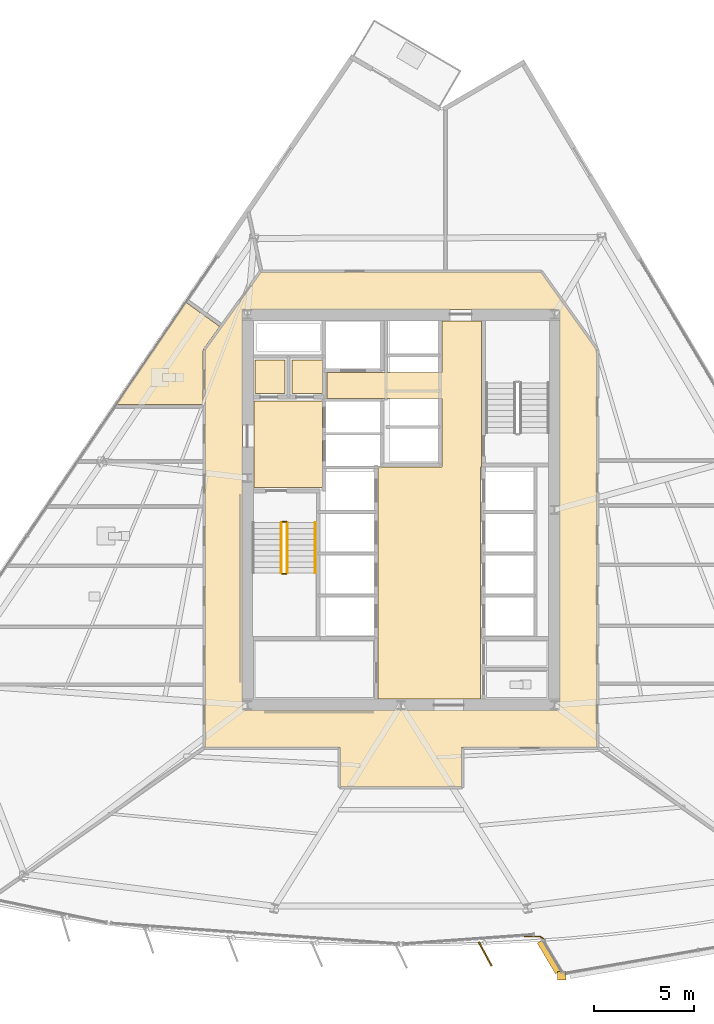
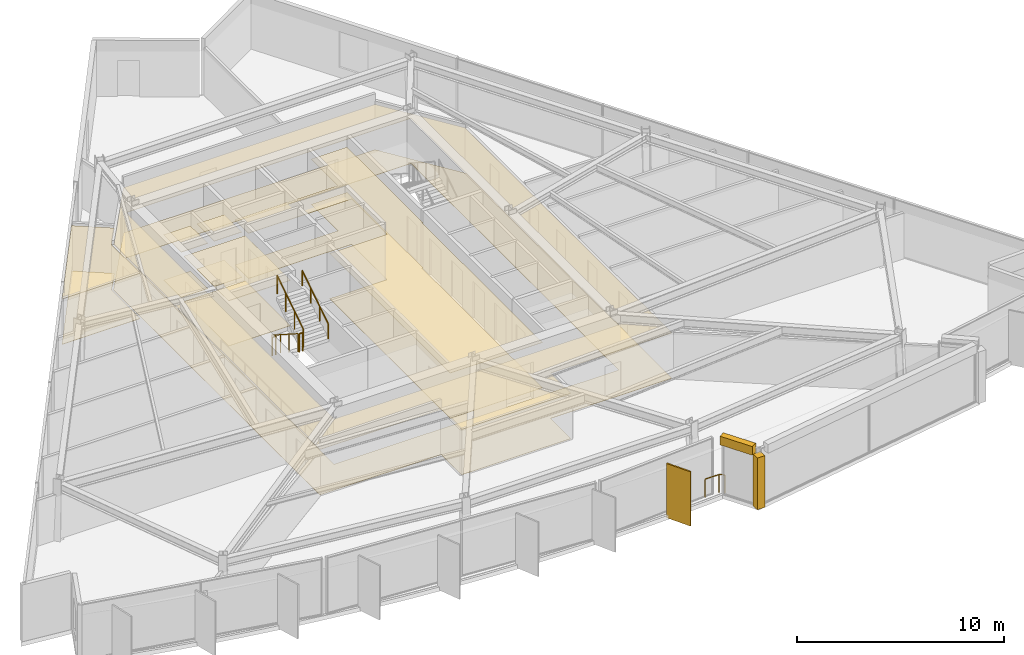
# One storey, part 12 of 15: 14 coverings, 6 railings, 1 shading device.
"""IFC4 building model written with IfcOpenShell, lengths in metres."""

import ifcopenshell
import ifcopenshell.guid

model = None  # the IFC model being written
_history = None  # IfcOwnerHistory: only IFC2X3 demands one
_inside = {}  # id of a spatial element -> (the spatial element, [elements in it])
_under = {}  # id of a project, library or spatial element -> (it, [spatial elements below it])
_declared = {}  # id of a project -> (the project, [libraries it declares])
_typed = {}  # id of a type object -> (the type object, [elements of that type])
_made_of = {}  # id of a material, layer set ... -> (it, [elements and type objects made of it])


def new_model(schema):
    """Start an empty IFC model of exactly this schema.

    Asked for "IFC4X3", IfcOpenShell would pick the latest addendum, in which some entities
    have other attributes; the version numbers below select the first issue.
    IFC2X3 requires an IfcOwnerHistory on every rooted entity: one is made here for all.
    """
    global model, _history
    if schema == "IFC4X3":
        model = ifcopenshell.file(schema_version=(4, 3, 0, 0))
    else:
        model = ifcopenshell.file(schema=schema)
    _inside.clear()
    _under.clear()
    _declared.clear()
    _typed.clear()
    _made_of.clear()
    _history = None
    if model.schema == "IFC2X3":
        org = make("IfcOrganization", Name="unknown")
        user = make(
            "IfcPersonAndOrganization",
            ThePerson=make("IfcPerson", FamilyName="unknown"),
            TheOrganization=org,
        )
        app = make(
            "IfcApplication",
            ApplicationDeveloper=org,
            Version="unknown",
            ApplicationFullName="unknown",
            ApplicationIdentifier="unknown",
        )
        _history = make(
            "IfcOwnerHistory",
            OwningUser=user,
            OwningApplication=app,
            ChangeAction="ADDED",
            CreationDate=0,
        )
    return model


def make(cls, **values):
    """One entity of the class cls with the attributes given. An attribute that is None is left unset."""
    return model.create_entity(
        cls, **{name: value for name, value in values.items() if value is not None}
    )


def rooted(cls, **values):
    """An entity with a GlobalId (a new one), such as an element, a storey or a relation."""
    return make(cls, GlobalId=ifcopenshell.guid.new(), OwnerHistory=_history, **values)


def si_unit(unit_type, name, prefix=None):
    """IfcSIUnit, for example si_unit("LENGTHUNIT", "METRE", prefix="MILLI")."""
    return make("IfcSIUnit", UnitType=unit_type, Prefix=prefix, Name=name)


def assignment(units):
    """IfcUnitAssignment: the units of a project."""
    return None if units is None else make("IfcUnitAssignment", Units=units)


def point(xyz):
    """IfcCartesianPoint."""
    return None if xyz is None else make("IfcCartesianPoint", Coordinates=xyz)


def direction(xyz):
    """IfcDirection."""
    return None if xyz is None else make("IfcDirection", DirectionRatios=xyz)


def frame(location, z_axis=None, x_axis=None):
    """IfcAxis2Placement3D, a coordinate frame: its origin and axes. An axis left out is left unset."""
    return make(
        "IfcAxis2Placement3D",
        Location=point(location),
        Axis=direction(z_axis),
        RefDirection=direction(x_axis),
    )


def frame_2d(location, x_axis=None):
    """IfcAxis2Placement2D, a coordinate frame in the plane: its origin and x axis."""
    return make(
        "IfcAxis2Placement2D", Location=point(location), RefDirection=direction(x_axis)
    )


def origin():
    """The frame at (0, 0, 0) with its axes left unset."""
    return frame((0.0, 0.0, 0.0))


def origin_2d():
    """The frame at (0, 0) in the plane with its x axis left unset."""
    return frame_2d((0.0, 0.0))


def place(relative_to, where):
    """IfcLocalPlacement: puts the frame where relative to a parent placement (None: the world)."""
    return make(
        "IfcLocalPlacement", PlacementRelTo=relative_to, RelativePlacement=where
    )


def context(
    kind, dimensions, precision=None, world=None, true_north=None, identifier=None
):
    """IfcGeometricRepresentationContext, for example the 3D "Model" context."""
    return make(
        "IfcGeometricRepresentationContext",
        ContextIdentifier=identifier,
        ContextType=kind,
        CoordinateSpaceDimension=dimensions,
        Precision=precision,
        WorldCoordinateSystem=world,
        TrueNorth=true_north,
    )


def subcontext(parent, identifier, kind, view, scale=None):
    """IfcGeometricRepresentationSubContext, for example "Body" below "Model"."""
    return make(
        "IfcGeometricRepresentationSubContext",
        ContextIdentifier=identifier,
        ContextType=kind,
        ParentContext=parent,
        TargetScale=scale,
        TargetView=view,
    )


def project(units=None, contexts=None):
    """IfcProject with its units and contexts."""
    return rooted(
        "IfcProject",
        Name="project",
        RepresentationContexts=contexts,
        UnitsInContext=assignment(units),
    )


def spatial(cls, under=None, at=None, **own):
    """A site, building, storey or space (cls), placed at a placement, below another one or the project."""
    s = rooted(cls, ObjectPlacement=at, **own)
    if under is not None:
        _under.setdefault(under.id(), (under, []))[1].append(s)
    return s


def polyline(points):
    """IfcPolyline through the points."""
    return make("IfcPolyline", Points=[point(p) for p in points])


def profile(cls, at=None, kind="AREA", **sizes):
    """A parametric profile (cls). Its sizes go by their IFC names, for example OverallWidth=200.0."""
    return make(cls, ProfileType=kind, Position=at, **sizes)


def rectangle(**sizes):
    """IfcRectangleProfileDef."""
    return profile("IfcRectangleProfileDef", **sizes)


def circle(**sizes):
    """IfcCircleProfileDef."""
    return profile("IfcCircleProfileDef", **sizes)


def outline(outer, holes=None, kind="AREA"):
    """IfcArbitraryClosedProfileDef: a profile drawn as a closed curve; with holes, ...WithVoids."""
    if holes is None:
        return make("IfcArbitraryClosedProfileDef", ProfileType=kind, OuterCurve=outer)
    return make(
        "IfcArbitraryProfileDefWithVoids",
        ProfileType=kind,
        OuterCurve=outer,
        InnerCurves=holes,
    )


def extrude(swept, where, along, depth):
    """IfcExtrudedAreaSolid: the profile swept, set in the frame where, extruded along a direction by depth."""
    return make(
        "IfcExtrudedAreaSolid",
        SweptArea=swept,
        Position=where,
        ExtrudedDirection=direction(along),
        Depth=depth,
    )


def shape(context_of_items, identifier, shape_type, items):
    """IfcShapeRepresentation: the items that make up one representation, for example the "Body"."""
    return make(
        "IfcShapeRepresentation",
        ContextOfItems=context_of_items,
        RepresentationIdentifier=identifier,
        RepresentationType=shape_type,
        Items=items,
    )


def material(Name=None, Category=None):
    """IfcMaterial."""
    return make("IfcMaterial", Name=Name, Category=Category)


def layer(
    of_material, thickness, ventilated=None, Name=None, Category=None, Priority=None
):
    """IfcMaterialLayer: one layer of a wall or slab, of a material (None: an air gap)."""
    return make(
        "IfcMaterialLayer",
        Material=of_material,
        LayerThickness=thickness,
        IsVentilated=ventilated,
        Name=Name,
        Category=Category,
        Priority=Priority,
    )


def layer_set(layers, Name=None):
    """IfcMaterialLayerSet."""
    return make("IfcMaterialLayerSet", MaterialLayers=layers, LayerSetName=Name)


def made_of(thing, what):
    """Note that an element or type object is made of a material, layer set ...; save() writes the relation."""
    if what is not None:
        _made_of.setdefault(what.id(), (what, []))[1].append(thing)
    return thing


def type_object(cls, material=None, **own):
    """A type object (cls), such as IfcWallType, which elements share."""
    return made_of(rooted(cls, **own), material)


def element(
    cls,
    number,
    at=None,
    inside=None,
    cuts=None,
    type_object=None,
    material=None,
    context=None,
    identifier="Body",
    shape_type=None,
    held_by="IfcProductDefinitionShape",
    body=None,
    shapes=None,
    **own,
):
    """One element of the class cls, such as IfcWall. Its Tag is "e" and its number.

    at: its placement. inside: the storey or other place that contains it. cuts: it is an
    opening in that element (IfcRelVoidsElement). A single representation is given by context,
    identifier, shape_type and body (its items); several are given by shapes. held_by: the class
    of the entity that holds the representations. save() writes the other relations.
    """
    e = rooted(cls, Tag="e%d" % number, ObjectPlacement=at, **own)
    if body is not None:
        shapes = [shape(context, identifier, shape_type, body)]
    if shapes is not None:
        e.Representation = make(held_by, Representations=shapes)
    if inside is not None:
        _inside.setdefault(inside.id(), (inside, []))[1].append(e)
    if cuts is not None:
        rooted(
            "IfcRelVoidsElement", RelatingBuildingElement=cuts, RelatedOpeningElement=e
        )
    if type_object is not None:
        _typed.setdefault(type_object.id(), (type_object, []))[1].append(e)
    return made_of(e, material)


def aggregate(whole, parts):
    """IfcRelAggregates: a whole, such as a stair, and the parts it consists of."""
    return rooted("IfcRelAggregates", RelatingObject=whole, RelatedObjects=parts)


def save(model, path):
    """Write the relations noted so far, then the file.

    IfcRelAggregates (storeys below a building ...), IfcRelContainedInSpatialStructure (elements
    in a storey), IfcRelDefinesByType, IfcRelAssociatesMaterial and IfcRelDeclares: one each for
    every whole, place, type object, material and project.
    """
    for whole, parts in _under.values():
        aggregate(whole, parts)
    for where, things in _inside.values():
        rooted(
            "IfcRelContainedInSpatialStructure",
            RelatedElements=things,
            RelatingStructure=where,
        )
    for kind, things in _typed.values():
        rooted("IfcRelDefinesByType", RelatedObjects=things, RelatingType=kind)
    for what, things in _made_of.values():
        rooted("IfcRelAssociatesMaterial", RelatedObjects=things, RelatingMaterial=what)
    for by, libraries in _declared.values():
        rooted("IfcRelDeclares", RelatingContext=by, RelatedDefinitions=libraries)
    model.write(path)


model = new_model("IFC4")

# Units and contexts
model_context = context("Model", 3, precision=1e-05, world=origin(), true_north=direction((0.0, 1.0)))
body_context = subcontext(model_context, "Body", "Model", "MODEL_VIEW")
ifc_project = project(units=[si_unit("LENGTHUNIT", "METRE"), si_unit("AREAUNIT", "SQUARE_METRE"), si_unit("VOLUMEUNIT", "CUBIC_METRE"), si_unit("PLANEANGLEUNIT", "RADIAN"), si_unit("MASSUNIT", "GRAM", prefix="KILO")], contexts=[model_context])

# Site, building, storey
site_placement = place(None, origin())
site = spatial("IfcSite", under=ifc_project, at=site_placement, CompositionType="ELEMENT")
building_placement = place(site_placement, origin())
building = spatial("IfcBuilding", under=site, at=building_placement, Name="Savorim Split Tower", CompositionType="ELEMENT")
storey_placement = place(building_placement, frame((0.0, 0.0, 96.89990234375)))
storey = spatial("IfcBuildingStorey", under=building, at=storey_placement, Name="L25", CompositionType="ELEMENT", Elevation=96.89990234375)

# Coverings
ifc_material_1 = material(Name="Mineral Fibre Acoustic Ceiling")
ifc_layer_1 = layer(ifc_material_1, 0.02490234375)
ifc_layer_set_1 = layer_set([ifc_layer_1], Name="COV-CEIL-25")
covering_type_1 = type_object("IfcCoveringType", Name="COV-CEIL-25", PredefinedType="CEILING", material=ifc_layer_set_1)
covering_1_placement = place(storey_placement, frame((0.0, 0.0, 2.670166015625)))
element("IfcCovering", 1, at=covering_1_placement, inside=storey, type_object=covering_type_1, Name="L25 Firefighting Lift Lobby Acoustic Ceiling", PredefinedType="CEILING", context=body_context, shape_type="SweptSolid", body=[
    extrude(outline(polyline([(-7.3798828125, 5.8701171875), (-7.3798828125, 1.530029296875), (-3.929931640625, 1.530029296875), (-3.929931640625, 5.8701171875), (-7.3798828125, 5.8701171875)])), origin(), (0.0, 0.0, 1.0), 0.02490234375),
])
covering_2_placement = place(storey_placement, frame((0.0, 0.0, 2.670166015625)))
element("IfcCovering", 2, at=covering_2_placement, inside=storey, type_object=covering_type_1, Name="L25 Electrical Riser Acoustic Ceiling", PredefinedType="CEILING", context=body_context, shape_type="SweptSolid", body=[
    extrude(outline(polyline([(-7.320068359375, 7.919921875), (-7.320068359375, 6.22998046875), (-5.830078125, 6.22998046875), (-5.830078125, 7.919921875), (-7.320068359375, 7.919921875)])), origin(), (0.0, 0.0, 1.0), 0.02490234375),
])
covering_3_placement = place(storey_placement, frame((0.0, 0.0, 2.670166015625)))
element("IfcCovering", 3, at=covering_3_placement, inside=storey, type_object=covering_type_1, Name="L25 Telecom Riser Acoustic Ceiling", PredefinedType="CEILING", context=body_context, shape_type="SweptSolid", body=[
    extrude(outline(polyline([(-5.469970703125, 7.919921875), (-5.469970703125, 6.22998046875), (-3.929931640625, 6.22998046875), (-3.929931640625, 7.919921875), (-5.469970703125, 7.919921875)])), origin(), (0.0, 0.0, 1.0), 0.02490234375),
])
covering_4_placement = place(storey_placement, frame((0.0, 0.0, 2.670166015625)))
element("IfcCovering", 4, at=covering_4_placement, inside=storey, type_object=covering_type_1, Name="L25 Lift Lobby Acoustic Ceiling", PredefinedType="CEILING", context=body_context, shape_type="SweptSolid", body=[
    extrude(outline(polyline([(2.050048828125, 2.550048828125), (-1.14990234375, 2.550048828125), (-1.14990234375, -9.10009765625), (4.0, -9.10009765625), (4.0, 2.550048828125), (4.050048828125, 2.550048828125), (4.050048828125, 5.97998046875), (4.050048828125, 7.300048828125), (4.050048828125, 9.8798828125), (2.050048828125, 9.8798828125), (2.050048828125, 7.300048828125), (-3.699951171875, 7.300048828125), (-3.699951171875, 5.97998046875), (2.050048828125, 5.97998046875), (2.050048828125, 2.550048828125)])), origin(), (0.0, 0.0, 1.0), 0.02490234375),
])
covering_5_placement = place(storey_placement, frame((0.0, 0.0, 2.670166015625)))
element("IfcCovering", 5, at=covering_5_placement, inside=storey, type_object=covering_type_1, Name="L25 Corridor Acoustic Ceiling", PredefinedType="CEILING", context=body_context, shape_type="SweptSolid", body=[
    extrude(outline(polyline([(7.009521484375, 12.3291015625), (7.004638671875, 12.329833984375), (7.0, 12.330078125), (-7.0, 12.330078125), (-7.004638671875, 12.329833984375), (-7.009521484375, 12.3291015625), (-7.013916015625, 12.327880859375), (-7.0185546875, 12.326416015625), (-7.022705078125, 12.324462890625), (-7.027099609375, 12.322021484375), (-7.03076171875, 12.3193359375), (-7.034423828125, 12.31640625), (-7.03759765625, 12.312744140625), (-7.04052734375, 12.30908203125), (-9.820556640625, 8.42919921875), (-9.823486328125, 8.4248046875), (-9.82568359375, 8.420166015625), (-9.82763671875, 8.415283203125), (-9.828857421875, 8.410400390625), (-9.82958984375, 8.4052734375), (-9.830078125, 8.39990234375), (-9.830078125, -11.47998046875), (-9.829833984375, -11.48486328125), (-9.8291015625, -11.48974609375), (-9.827880859375, -11.494384765625), (-9.826171875, -11.4990234375), (-9.82421875, -11.503662109375), (-9.821533203125, -11.5078125), (-9.818603515625, -11.51171875), (-9.8154296875, -11.515380859375), (-9.811767578125, -11.518798828125), (-9.807861328125, -11.521484375), (-9.8037109375, -11.524169921875), (-9.799072265625, -11.526123046875), (-9.79443359375, -11.52783203125), (-9.789794921875, -11.529052734375), (-9.784912109375, -11.52978515625), (-9.780029296875, -11.530029296875), (-3.050048828125, -11.530029296875), (-3.050048828125, -13.449951171875), (-3.0498046875, -13.454833984375), (-3.049072265625, -13.459716796875), (-3.0478515625, -13.464599609375), (-3.046142578125, -13.468994140625), (-3.044189453125, -13.4736328125), (-3.04150390625, -13.477783203125), (-3.038818359375, -13.481689453125), (-3.035400390625, -13.4853515625), (-3.03173828125, -13.48876953125), (-3.02783203125, -13.49169921875), (-3.023681640625, -13.494140625), (-3.01904296875, -13.49609375), (-3.014404296875, -13.497802734375), (-3.009765625, -13.4990234375), (-3.0048828125, -13.499755859375), (-3.0, -13.5), (3.0, -13.5), (3.0048828125, -13.499755859375), (3.009765625, -13.4990234375), (3.014404296875, -13.497802734375), (3.01904296875, -13.49609375), (3.023681640625, -13.494140625), (3.02783203125, -13.49169921875), (3.03173828125, -13.48876953125), (3.035400390625, -13.4853515625), (3.038818359375, -13.481689453125), (3.04150390625, -13.477783203125), (3.044189453125, -13.4736328125), (3.046142578125, -13.468994140625), (3.0478515625, -13.464599609375), (3.049072265625, -13.459716796875), (3.0498046875, -13.454833984375), (3.050048828125, -13.449951171875), (3.050048828125, -11.530029296875), (9.780029296875, -11.530029296875), (9.784912109375, -11.52978515625), (9.789794921875, -11.529052734375), (9.79443359375, -11.52783203125), (9.799072265625, -11.526123046875), (9.8037109375, -11.524169921875), (9.807861328125, -11.521484375), (9.811767578125, -11.518798828125), (9.8154296875, -11.515380859375), (9.818603515625, -11.51171875), (9.821533203125, -11.5078125), (9.82421875, -11.503662109375), (9.826171875, -11.4990234375), (9.827880859375, -11.494384765625), (9.8291015625, -11.48974609375), (9.829833984375, -11.48486328125), (9.830078125, -11.47998046875), (9.830078125, 8.39990234375), (9.82958984375, 8.4052734375), (9.828857421875, 8.410400390625), (9.82763671875, 8.415283203125), (9.82568359375, 8.420166015625), (9.823486328125, 8.4248046875), (9.820556640625, 8.42919921875), (7.04052734375, 12.30908203125), (7.03759765625, 12.312744140625), (7.034423828125, 12.31640625), (7.03076171875, 12.3193359375), (7.027099609375, 12.322021484375), (7.022705078125, 12.324462890625), (7.0185546875, 12.326416015625), (7.013916015625, 12.327880859375), (7.009521484375, 12.3291015625)]), holes=[polyline([(-7.949951171875, 10.449951171875), (-7.949951171875, -9.64990234375), (7.949951171875, -9.64990234375), (7.949951171875, 10.449951171875), (-7.949951171875, 10.449951171875)])]), origin(), (0.0, 0.0, 1.0), 0.02490234375),
])
covering_6_placement = place(storey_placement, frame((0.0, 0.0, 2.670166015625)))
element("IfcCovering", 6, at=covering_6_placement, inside=storey, type_object=covering_type_1, Name="L25 Shared Bathroom Acoustic Ceiling", PredefinedType="CEILING", context=body_context, shape_type="SweptSolid", body=[
    extrude(outline(polyline([(-9.908203125, 8.456298828125), (-9.901611328125, 8.46923828125), (-9.893798828125, 8.4814453125), (-9.095703125, 9.59521484375), (-10.796875, 10.81396484375), (-14.290283203125, 5.6787109375), (-9.919921875, 5.6787109375), (-9.919921875, 8.39990234375), (-9.919189453125, 8.41455078125), (-9.9169921875, 8.4287109375), (-9.913330078125, 8.44287109375), (-9.908203125, 8.456298828125)])), origin(), (0.0, 0.0, 1.0), 0.02490234375),
])
ifc_material_2 = material(Name="Porcelain Stoneware Flooring", Category="masonry")
ifc_layer_2 = layer(ifc_material_2, 0.02001953125)
ifc_layer_set_2 = layer_set([ifc_layer_2], Name="COV-FLOR-20")
covering_type_2 = type_object("IfcCoveringType", Name="COV-FLOR-20", PredefinedType="FLOORING", material=ifc_layer_set_2)
covering_7_placement = place(storey_placement, origin())
element("IfcCovering", 7, at=covering_7_placement, inside=storey, type_object=covering_type_2, Name="L25 Firefighting Lift Lobby Porcelain Flooring", PredefinedType="FLOORING", context=body_context, shape_type="SweptSolid", body=[
    extrude(outline(polyline([(-7.3798828125, 5.8701171875), (-7.3798828125, 1.530029296875), (-3.929931640625, 1.530029296875), (-3.929931640625, 5.8701171875), (-7.3798828125, 5.8701171875)])), origin(), (0.0, 0.0, 1.0), 0.02001953125),
])
covering_8_placement = place(storey_placement, origin())
element("IfcCovering", 8, at=covering_8_placement, inside=storey, type_object=covering_type_2, Name="L25 Electrical Riser Porcelain Flooring", PredefinedType="FLOORING", context=body_context, shape_type="SweptSolid", body=[
    extrude(outline(polyline([(-7.320068359375, 7.919921875), (-7.320068359375, 6.22998046875), (-5.830078125, 6.22998046875), (-5.830078125, 7.919921875), (-7.320068359375, 7.919921875)])), origin(), (0.0, 0.0, 1.0), 0.02001953125),
])
covering_9_placement = place(storey_placement, origin())
element("IfcCovering", 9, at=covering_9_placement, inside=storey, type_object=covering_type_2, Name="L25 Telecom Riser Porcelain Flooring", PredefinedType="FLOORING", context=body_context, shape_type="SweptSolid", body=[
    extrude(outline(polyline([(-5.469970703125, 7.919921875), (-5.469970703125, 6.22998046875), (-3.929931640625, 6.22998046875), (-3.929931640625, 7.919921875), (-5.469970703125, 7.919921875)])), origin(), (0.0, 0.0, 1.0), 0.02001953125),
])
covering_10_placement = place(storey_placement, origin())
element("IfcCovering", 10, at=covering_10_placement, inside=storey, type_object=covering_type_2, Name="L25 Lift Lobby Porcelain Flooring", PredefinedType="FLOORING", context=body_context, shape_type="SweptSolid", body=[
    extrude(outline(polyline([(2.050048828125, 2.550048828125), (-1.14990234375, 2.550048828125), (-1.14990234375, -9.10009765625), (4.0, -9.10009765625), (4.0, 2.550048828125), (4.050048828125, 2.550048828125), (4.050048828125, 5.97998046875), (4.050048828125, 7.300048828125), (4.050048828125, 9.8798828125), (2.050048828125, 9.8798828125), (2.050048828125, 7.300048828125), (-3.699951171875, 7.300048828125), (-3.699951171875, 5.97998046875), (2.050048828125, 5.97998046875), (2.050048828125, 2.550048828125)])), origin(), (0.0, 0.0, 1.0), 0.02001953125),
])
covering_11_placement = place(storey_placement, origin())
element("IfcCovering", 11, at=covering_11_placement, inside=storey, type_object=covering_type_2, Name="L25 Corridor Porcelain Flooring", PredefinedType="FLOORING", context=body_context, shape_type="SweptSolid", body=[
    extrude(outline(polyline([(7.009521484375, 12.3291015625), (7.004638671875, 12.329833984375), (7.0, 12.330078125), (-7.0, 12.330078125), (-7.004638671875, 12.329833984375), (-7.009521484375, 12.3291015625), (-7.013916015625, 12.327880859375), (-7.0185546875, 12.326416015625), (-7.022705078125, 12.324462890625), (-7.027099609375, 12.322021484375), (-7.03076171875, 12.3193359375), (-7.034423828125, 12.31640625), (-7.03759765625, 12.312744140625), (-7.04052734375, 12.30908203125), (-9.820556640625, 8.42919921875), (-9.823486328125, 8.4248046875), (-9.82568359375, 8.420166015625), (-9.82763671875, 8.415283203125), (-9.828857421875, 8.410400390625), (-9.82958984375, 8.4052734375), (-9.830078125, 8.39990234375), (-9.830078125, -11.47998046875), (-9.829833984375, -11.48486328125), (-9.8291015625, -11.48974609375), (-9.827880859375, -11.494384765625), (-9.826171875, -11.4990234375), (-9.82421875, -11.503662109375), (-9.821533203125, -11.5078125), (-9.818603515625, -11.51171875), (-9.8154296875, -11.515380859375), (-9.811767578125, -11.518798828125), (-9.807861328125, -11.521484375), (-9.8037109375, -11.524169921875), (-9.799072265625, -11.526123046875), (-9.79443359375, -11.52783203125), (-9.789794921875, -11.529052734375), (-9.784912109375, -11.52978515625), (-9.780029296875, -11.530029296875), (-3.050048828125, -11.530029296875), (-3.050048828125, -13.449951171875), (-3.0498046875, -13.454833984375), (-3.049072265625, -13.459716796875), (-3.0478515625, -13.464599609375), (-3.046142578125, -13.468994140625), (-3.044189453125, -13.4736328125), (-3.04150390625, -13.477783203125), (-3.038818359375, -13.481689453125), (-3.035400390625, -13.4853515625), (-3.03173828125, -13.48876953125), (-3.02783203125, -13.49169921875), (-3.023681640625, -13.494140625), (-3.01904296875, -13.49609375), (-3.014404296875, -13.497802734375), (-3.009765625, -13.4990234375), (-3.0048828125, -13.499755859375), (-3.0, -13.5), (3.0, -13.5), (3.0048828125, -13.499755859375), (3.009765625, -13.4990234375), (3.014404296875, -13.497802734375), (3.01904296875, -13.49609375), (3.023681640625, -13.494140625), (3.02783203125, -13.49169921875), (3.03173828125, -13.48876953125), (3.035400390625, -13.4853515625), (3.038818359375, -13.481689453125), (3.04150390625, -13.477783203125), (3.044189453125, -13.4736328125), (3.046142578125, -13.468994140625), (3.0478515625, -13.464599609375), (3.049072265625, -13.459716796875), (3.0498046875, -13.454833984375), (3.050048828125, -13.449951171875), (3.050048828125, -11.530029296875), (9.780029296875, -11.530029296875), (9.784912109375, -11.52978515625), (9.789794921875, -11.529052734375), (9.79443359375, -11.52783203125), (9.799072265625, -11.526123046875), (9.8037109375, -11.524169921875), (9.807861328125, -11.521484375), (9.811767578125, -11.518798828125), (9.8154296875, -11.515380859375), (9.818603515625, -11.51171875), (9.821533203125, -11.5078125), (9.82421875, -11.503662109375), (9.826171875, -11.4990234375), (9.827880859375, -11.494384765625), (9.8291015625, -11.48974609375), (9.829833984375, -11.48486328125), (9.830078125, -11.47998046875), (9.830078125, 8.39990234375), (9.82958984375, 8.4052734375), (9.828857421875, 8.410400390625), (9.82763671875, 8.415283203125), (9.82568359375, 8.420166015625), (9.823486328125, 8.4248046875), (9.820556640625, 8.42919921875), (7.04052734375, 12.30908203125), (7.03759765625, 12.312744140625), (7.034423828125, 12.31640625), (7.03076171875, 12.3193359375), (7.027099609375, 12.322021484375), (7.022705078125, 12.324462890625), (7.0185546875, 12.326416015625), (7.013916015625, 12.327880859375), (7.009521484375, 12.3291015625)]), holes=[polyline([(-7.949951171875, 10.449951171875), (-7.949951171875, -9.64990234375), (7.949951171875, -9.64990234375), (7.949951171875, 10.449951171875), (-7.949951171875, 10.449951171875)])]), origin(), (0.0, 0.0, 1.0), 0.02001953125),
])
covering_12_placement = place(storey_placement, origin())
element("IfcCovering", 12, at=covering_12_placement, inside=storey, type_object=covering_type_2, Name="L25 Shared Bathroom Porcelain Flooring", PredefinedType="FLOORING", context=body_context, shape_type="SweptSolid", body=[
    extrude(outline(polyline([(-9.908203125, 8.456298828125), (-9.901611328125, 8.46923828125), (-9.893798828125, 8.4814453125), (-9.095703125, 9.59521484375), (-10.796875, 10.81396484375), (-14.290283203125, 5.6787109375), (-9.919921875, 5.6787109375), (-9.919921875, 8.39990234375), (-9.919189453125, 8.41455078125), (-9.9169921875, 8.4287109375), (-9.913330078125, 8.44287109375), (-9.908203125, 8.456298828125)])), origin(), (0.0, 0.0, 1.0), 0.02001953125),
])
ifc_material_3 = material(Name="White Porcelain Architectural Cladding")
ifc_layer_3 = layer(ifc_material_3, 0.139892578125)
ifc_layer_set_3 = layer_set([ifc_layer_3], Name="COV-FRM-WHITE")
covering_type_3 = type_object("IfcCoveringType", Name="COV-FRM-WHITE", PredefinedType="CLADDING", material=ifc_layer_set_3)
covering_13_placement = place(storey_placement, frame((0.0, 0.0, 3.080078125)))
element("IfcCovering", 13, at=covering_13_placement, inside=storey, type_object=covering_type_3, Name="L25 Cantilevered Lounge White Upper Cornice Band W", PredefinedType="CLADDING", context=body_context, shape_type="SweptSolid", body=[
    extrude(outline(polyline([(6.837890625, -21.34130859375), (7.757080078125, -22.888671875), (8.049560546875, -22.715087890625), (7.130126953125, -21.16748046875), (6.837890625, -21.34130859375)])), origin(), (0.0, 0.0, 1.0), 0.510009765625),
])
covering_14_placement = place(storey_placement, frame((0.0, 0.0, 0.010009765625)))
element("IfcCovering", 14, at=covering_14_placement, inside=storey, type_object=covering_type_3, Name="L25 Cantilevered Lounge White Frame Corner Post 1", PredefinedType="CLADDING", context=body_context, shape_type="SweptSolid", body=[
    extrude(outline(polyline([(7.85888671875, -23.192626953125), (8.27880859375, -23.192626953125), (8.27880859375, -22.772705078125), (7.85888671875, -22.772705078125), (7.85888671875, -23.192626953125)])), origin(), (0.0, 0.0, 1.0), 3.050048828125),
])

# Railings
ifc_material_4 = material(Name="Galvanised Painted Steel Balustrade", Category="steel")
railing_type_1 = type_object("IfcRailingType", Name="RLG-BAL-1100", PredefinedType="BALUSTRADE", material=ifc_material_4)
railing_1_placement = place(storey_placement, frame((6.2060546875, -21.010009765625, 0.0)))
element("IfcRailing", 15, at=railing_1_placement, inside=storey, type_object=railing_type_1, Name="L25 Cantilevered Lounge West Edge Closure Guard", PredefinedType="BALUSTRADE", context=body_context, shape_type="SweptSolid", body=[
    extrude(circle(Radius=0.02392578125, at=origin_2d()), frame((0.0, 0.0, 1.076171875), z_axis=(1.0, 0.0, 0.0), x_axis=(0.0, 1.0, 0.0)), (0.0, 0.0, 1.0), 0.780029296875),
    extrude(circle(Radius=0.02392578125, at=origin_2d()), frame((0.780029296875, 0.0, 1.076171875), z_axis=(0.804032223683, -0.59458572408, 0.0), x_axis=(0.59458572408, 0.804032223683, 0.0)), (0.0, 0.0, 1.0), 0.281982421875),
    extrude(circle(Radius=0.02099609375, at=origin_2d()), origin(), (0.0, 0.0, 1.0), 1.052001953125),
    extrude(circle(Radius=0.02099609375, at=origin_2d()), frame((0.780029296875, 0.0, 0.0)), (0.0, 0.0, 1.0), 1.052001953125),
    extrude(circle(Radius=0.02099609375, at=origin_2d()), frame((1.0068359375, -0.167724609375, 0.0)), (0.0, 0.0, 1.0), 1.052001953125),
])
railing_type_2 = type_object("IfcRailingType", Name="RLG-HR-900", PredefinedType="HANDRAIL", material=ifc_material_4)
railing_2_placement = place(storey_placement, frame((-4.300048828125, -2.77001953125, 1.97998046875)))
element("IfcRailing", 16, at=railing_2_placement, inside=storey, type_object=railing_type_2, Name="L25 ST-1 stair handrail 2", PredefinedType="HANDRAIL", context=body_context, shape_type="SweptSolid", body=[
    extrude(circle(Radius=0.02392578125, at=origin_2d()), frame((0.0, 0.0, 0.8759765625), z_axis=(0.0, 0.841162588446, 0.540782303519), x_axis=(-1.0, 0.0, 0.0)), (0.0, 0.0, 1.0), 2.995849609375),
    extrude(circle(Radius=0.02099609375, at=origin_2d()), origin(), (0.0, 0.0, 1.0), 0.851806640625),
    extrude(circle(Radius=0.02099609375, at=origin_2d()), frame((0.0, 0.840087890625, 0.5400390625)), (0.0, 0.0, 1.0), 0.851806640625),
    extrude(circle(Radius=0.02099609375, at=origin_2d()), frame((0.0, 1.679931640625, 1.080078125)), (0.0, 0.0, 1.0), 0.851806640625),
    extrude(circle(Radius=0.02099609375, at=origin_2d()), frame((0.0, 2.52001953125, 1.6201171875)), (0.0, 0.0, 1.0), 0.851806640625),
])
railing_type_3 = type_object("IfcRailingType", Name="RLG-STG-1100", PredefinedType="BALUSTRADE", material=ifc_material_4)
railing_3_placement = place(storey_placement, frame((-6.0, -0.25, 0.18017578125)))
element("IfcRailing", 17, at=railing_3_placement, inside=storey, type_object=railing_type_3, Name="L25 ST-1 stair guard 1", PredefinedType="BALUSTRADE", context=body_context, shape_type="SweptSolid", body=[
    extrude(circle(Radius=0.02392578125, at=origin_2d()), frame((0.0, 0.0, 1.076171875), z_axis=(0.0, -0.841199657755, 0.540724639528), x_axis=(1.0, 0.0, 0.0)), (0.0, 0.0, 1.0), 2.995849609375),
    extrude(circle(Radius=0.02099609375, at=origin_2d()), origin(), (0.0, 0.0, 1.0), 1.052001953125),
    extrude(circle(Radius=0.02099609375, at=origin_2d()), frame((0.0, -0.840087890625, 0.5400390625)), (0.0, 0.0, 1.0), 1.052001953125),
    extrude(circle(Radius=0.02099609375, at=origin_2d()), frame((0.0, -1.679931640625, 1.079833984375)), (0.0, 0.0, 1.0), 1.052001953125),
    extrude(circle(Radius=0.02099609375, at=origin_2d()), frame((0.0, -2.52001953125, 1.619873046875)), (0.0, 0.0, 1.0), 1.052001953125),
])
railing_4_placement = place(storey_placement, frame((-5.949951171875, -2.820068359375, 1.800048828125)))
element("IfcRailing", 18, at=railing_4_placement, inside=storey, type_object=railing_type_3, Name="L25 ST-1 stair guard 2", PredefinedType="BALUSTRADE", context=body_context, shape_type="SweptSolid", body=[
    extrude(circle(Radius=0.02392578125, at=origin_2d()), frame((0.0, 0.0, 1.076171875), z_axis=(1.0, 0.0, 0.0), x_axis=(0.0, 1.0, 0.0)), (0.0, 0.0, 1.0), 0.199951171875),
    extrude(circle(Radius=0.02099609375, at=origin_2d()), origin(), (0.0, 0.0, 1.0), 1.052001953125),
    extrude(circle(Radius=0.02099609375, at=origin_2d()), frame((0.199951171875, 0.0, 0.0)), (0.0, 0.0, 1.0), 1.052001953125),
])
railing_5_placement = place(storey_placement, frame((-5.699951171875, -2.77001953125, 1.97998046875)))
element("IfcRailing", 19, at=railing_5_placement, inside=storey, type_object=railing_type_3, Name="L25 ST-1 stair guard 3", PredefinedType="BALUSTRADE", context=body_context, shape_type="SweptSolid", body=[
    extrude(circle(Radius=0.02392578125, at=origin_2d()), frame((0.0, 0.0, 1.076171875), z_axis=(0.0, 0.841162588446, 0.540782303519), x_axis=(-1.0, 0.0, 0.0)), (0.0, 0.0, 1.0), 2.995849609375),
    extrude(circle(Radius=0.02099609375, at=origin_2d()), origin(), (0.0, 0.0, 1.0), 1.052001953125),
    extrude(circle(Radius=0.02099609375, at=origin_2d()), frame((0.0, 0.840087890625, 0.5400390625)), (0.0, 0.0, 1.0), 1.052001953125),
    extrude(circle(Radius=0.02099609375, at=origin_2d()), frame((0.0, 1.679931640625, 1.080078125)), (0.0, 0.0, 1.0), 1.052001953125),
    extrude(circle(Radius=0.02099609375, at=origin_2d()), frame((0.0, 2.52001953125, 1.6201171875)), (0.0, 0.0, 1.0), 1.052001953125),
])
railing_6_placement = place(storey_placement, frame((-5.949951171875, -0.199951171875, 0.0)))
element("IfcRailing", 20, at=railing_6_placement, inside=storey, type_object=railing_type_3, Name="L25 ST-1 stair guard 4", PredefinedType="BALUSTRADE", context=body_context, shape_type="SweptSolid", body=[
    extrude(circle(Radius=0.02392578125, at=origin_2d()), frame((0.0, 0.0, 1.076171875), z_axis=(1.0, 0.0, 0.0), x_axis=(0.0, 1.0, 0.0)), (0.0, 0.0, 1.0), 0.199951171875),
    extrude(circle(Radius=0.02099609375, at=origin_2d()), origin(), (0.0, 0.0, 1.0), 1.052001953125),
    extrude(circle(Radius=0.02099609375, at=origin_2d()), frame((0.199951171875, 0.0, 0.0)), (0.0, 0.0, 1.0), 1.052001953125),
])

# Shading device
ifc_material_5 = material(Name="Terracotta Ceramic-Coated Aluminium Fin", Category="masonry")
shading_device_type = type_object("IfcShadingDeviceType", Name="SHD-FIN-1360", PredefinedType="USERDEFINED", material=ifc_material_5)
shading_device_placement = place(storey_placement, frame((4.227294921875, -21.890380859375, -0.19970703125), z_axis=(0.0, 0.0, 1.0), x_axis=(0.474778051978, -0.880105562623, 0.0)))
element("IfcShadingDevice", 21, at=shading_device_placement, inside=storey, type_object=shading_device_type, Name="L25 Sawtooth Shading Fin 08", ObjectType="FIN", PredefinedType="USERDEFINED", context=body_context, shape_type="SweptSolid", body=[
    extrude(rectangle(XDim=1.360107421875, YDim=0.080078125, at=origin_2d()), origin(), (0.0, 0.0, 1.0), 3.199951171875),
])

save(model, "model.ifc")
